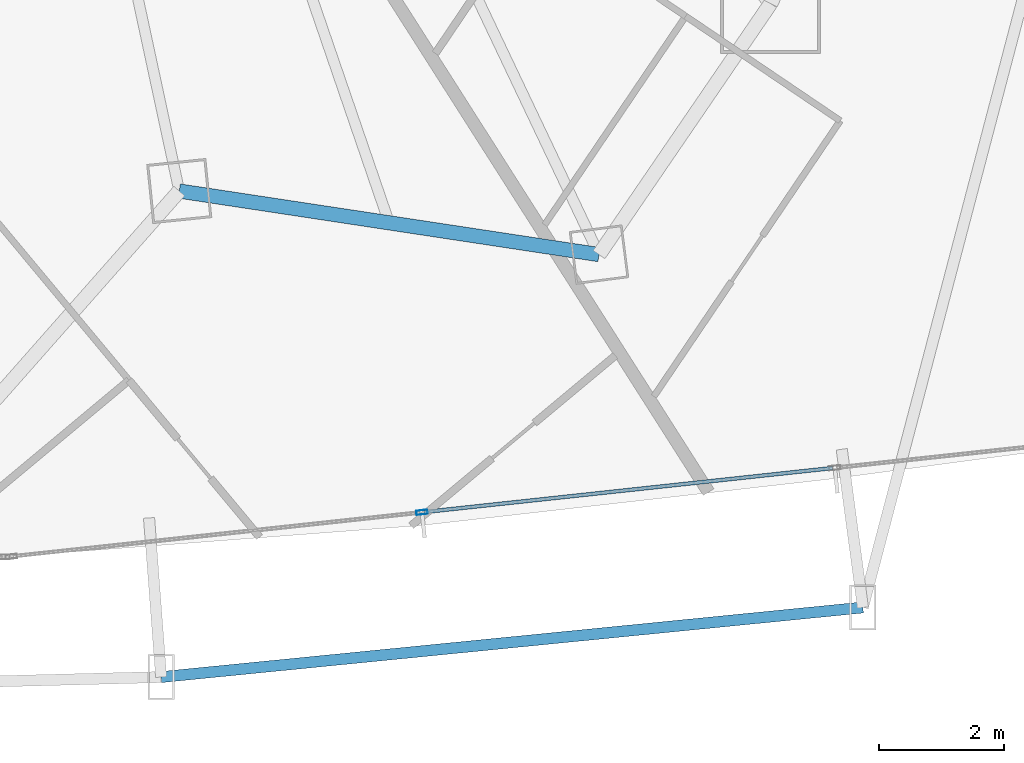
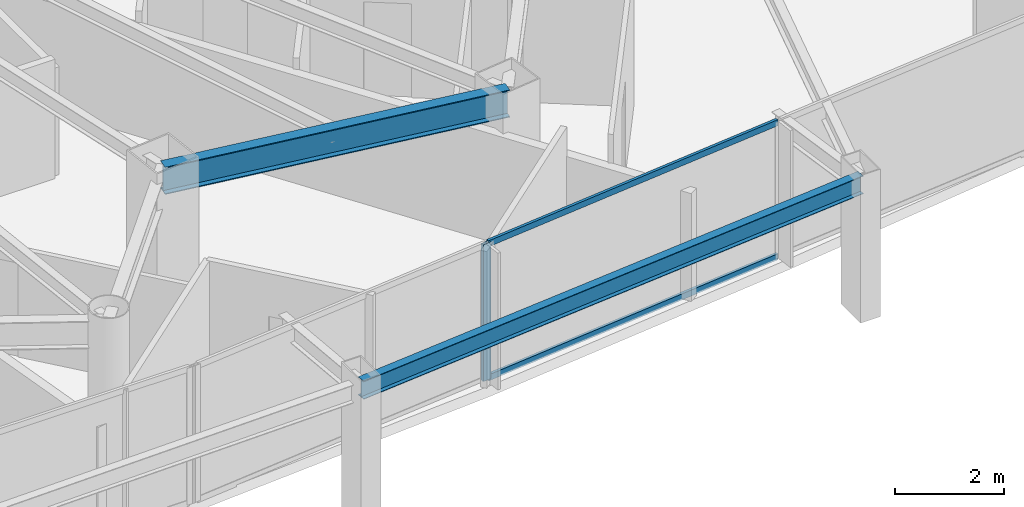
# One storey, part 14 of 38: 3 members, 2 beams, 1 element without a shape of its own.
"""IFC4 building model written with IfcOpenShell, lengths in metres."""

from ifc_helpers import new_model, si_unit, direction, frame, origin, origin_2d, place, context, subcontext, project, spatial, hollow_rectangle, i_section, extrude, material, layer, layer_set, material_profile, profile_set, type_object, element, aggregate, save


model = new_model("IFC4")

# Units and contexts
model_context = context("Model", 3, precision=1e-05, world=origin(), true_north=direction((0.0, 1.0)))
body_context = subcontext(model_context, "Body", "Model", "MODEL_VIEW")
ifc_project = project(units=[si_unit("LENGTHUNIT", "METRE"), si_unit("AREAUNIT", "SQUARE_METRE"), si_unit("VOLUMEUNIT", "CUBIC_METRE"), si_unit("PLANEANGLEUNIT", "RADIAN"), si_unit("MASSUNIT", "GRAM", prefix="KILO")], contexts=[model_context])

# Site, building, storey
site_placement = place(None, origin())
site = spatial("IfcSite", under=ifc_project, at=site_placement, CompositionType="ELEMENT")
building_placement = place(site_placement, origin())
building = spatial("IfcBuilding", under=site, at=building_placement, Name="Orvanel Arch Residences", CompositionType="ELEMENT")
storey_placement = place(building_placement, frame((0.0, 0.0, 46.699951171875)))
storey = spatial("IfcBuildingStorey", under=building, at=storey_placement, Name="L12", CompositionType="ELEMENT", Elevation=46.699951171875)

# Curtain wall, member
ifc_material_1 = material(Name="Bronze-anodised aluminium AA6063-T6", Category="aluminium")
ifc_layer = layer(ifc_material_1, 0.179931640625)
ifc_layer_set = layer_set([ifc_layer], Name="Bronze-anodised aluminium AA6063-T6")
curtain_wall_type = type_object("IfcCurtainWallType", Name="CW2-LOW-SYS", PredefinedType="NOTDEFINED", material=ifc_layer_set)
curtain_wall_placement = place(storey_placement, origin())
curtain_wall = element("IfcCurtainWall", 1, at=curtain_wall_placement, inside=storey, type_object=curtain_wall_type, Name="L12 CW2-LOW-SYS Unitised Curtain Wall", PredefinedType="NOTDEFINED")
ifc_material_profile_1 = material_profile(ifc_material_1, hollow_rectangle(XDim=0.070068359375, YDim=0.179931640625, WallThickness=0.00439453125, at=origin_2d()), Name="ALU180x70x4.5")
ifc_profile_set_1 = profile_set([ifc_material_profile_1], Name="Bronze-anodised aluminium AA6063-T6")
member_type_1 = type_object("IfcMemberType", Name="MUL-180x70", PredefinedType="MULLION", material=ifc_profile_set_1)
member_1_placement = place(storey_placement, frame((46.22900390625, 2.220947265625, 0.0), z_axis=(0.0, 0.0, 1.0), x_axis=(-0.107139659052, 0.994243980851, 0.0)))
member_1 = element("IfcMember", 2, at=member_1_placement, type_object=member_type_1, Name="CW-S2 mullion 2", PredefinedType="MULLION", context=body_context, shape_type="SweptSolid", body=[
    extrude(hollow_rectangle(XDim=0.070068359375, YDim=0.179931640625, WallThickness=0.00439453125, at=origin_2d()), origin(), (0.0, 0.0, 1.0), 3.06005859375),
])

# Beams
ifc_material_2 = material(Name="Structural steel AS/NZS 3679.1 Grade 300 (300 MPa)", Category="steel")
ifc_material_profile_2 = material_profile(ifc_material_2, i_section(OverallWidth=0.177978515625, OverallDepth=0.406005859375, WebThickness=0.0078125, FlangeThickness=0.0126953125, at=origin_2d()), Name="410UB59.7")
ifc_profile_set_2 = profile_set([ifc_material_profile_2], Name="Structural steel AS/NZS 3679.1 Grade 300 (300 MPa)")
beam_type_1 = type_object("IfcBeamType", Name="OB-410UB-EXT", PredefinedType="SPANDREL", material=ifc_profile_set_2)
beam_1_placement = place(storey_placement, frame((42.06103515625, -0.412109375, 2.85693359375), z_axis=(0.995119637714, 0.09867576519, 0.0), x_axis=(-0.09867576519, 0.995119637714, 0.0)))
element("IfcBeam", 3, at=beam_1_placement, inside=storey, type_object=beam_type_1, Name="L12 Outer Perimeter Floor Ring Beam 07", PredefinedType="SPANDREL", context=body_context, shape_type="SweptSolid", body=[
    extrude(i_section(OverallWidth=0.177978515625, OverallDepth=0.406005859375, WebThickness=0.0078125, FlangeThickness=0.0126953125, at=origin_2d()), origin(), (0.0, 0.0, 1.0), 11.269775390625),
])
ifc_material_profile_3 = material_profile(ifc_material_2, i_section(OverallWidth=0.22900390625, OverallDepth=0.612060546875, WebThickness=0.011962890625, FlangeThickness=0.01953125, at=origin_2d()), Name="610UB125")
ifc_profile_set_3 = profile_set([ifc_material_profile_3], Name="Structural steel AS/NZS 3679.1 Grade 300 (300 MPa)")
beam_type_2 = type_object("IfcBeamType", Name="SP-610UB", PredefinedType="SPANDREL", material=ifc_profile_set_3)
beam_2_placement = place(storey_placement, frame((42.35107421875, 7.35498046875, 2.754150390625), z_axis=(0.988726323014, -0.149733958002, 0.0), x_axis=(0.149733958002, 0.988726323014, 0.0)))
element("IfcBeam", 4, at=beam_2_placement, inside=storey, type_object=beam_type_2, Name="L12 Perimeter Spandrel Beam 09", PredefinedType="SPANDREL", context=body_context, shape_type="SweptSolid", body=[
    extrude(i_section(OverallWidth=0.22900390625, OverallDepth=0.612060546875, WebThickness=0.011962890625, FlangeThickness=0.01953125, at=origin_2d()), origin(), (0.0, 0.0, 1.0), 6.784423828125),
])

# Member
ifc_material_profile_4 = material_profile(ifc_material_1, hollow_rectangle(XDim=0.06005859375, YDim=0.135009765625, WallThickness=0.00390625, at=origin_2d()), Name="ALU135x60x4")
ifc_profile_set_4 = profile_set([ifc_material_profile_4], Name="Bronze-anodised aluminium AA6063-T6")
member_type_2 = type_object("IfcMemberType", Name="TRN-135x60", PredefinedType="USERDEFINED", material=ifc_profile_set_4)
member_2_placement = place(storey_placement, frame((46.263916015625, 2.224853515625, 0.030029296875), z_axis=(0.994245962849, 0.107121264733, 0.0), x_axis=(-0.107121264733, 0.994245962849, 0.0)))
member_2 = element("IfcMember", 5, at=member_2_placement, type_object=member_type_2, Name="CW-S2 transom 2.1", ObjectType="TRANSOM", PredefinedType="USERDEFINED", context=body_context, shape_type="SweptSolid", body=[
    extrude(hollow_rectangle(XDim=0.06005859375, YDim=0.135009765625, WallThickness=0.00390625, at=origin_2d()), origin(), (0.0, 0.0, 1.0), 6.566162109375),
])

member_3_placement = place(storey_placement, frame((46.263916015625, 2.224853515625, 3.030029296875), z_axis=(0.994245962849, 0.107121264733, 0.0), x_axis=(-0.107121264733, 0.994245962849, 0.0)))
member_3 = element("IfcMember", 6, at=member_3_placement, type_object=member_type_2, Name="CW-S2 transom 2.2", ObjectType="TRANSOM", PredefinedType="USERDEFINED", context=body_context, shape_type="SweptSolid", body=[
    extrude(hollow_rectangle(XDim=0.06005859375, YDim=0.135009765625, WallThickness=0.00390625, at=origin_2d()), origin(), (0.0, 0.0, 1.0), 6.566162109375),
])

aggregate(curtain_wall, [member_1, member_2, member_3])

save(model, "model.ifc")
